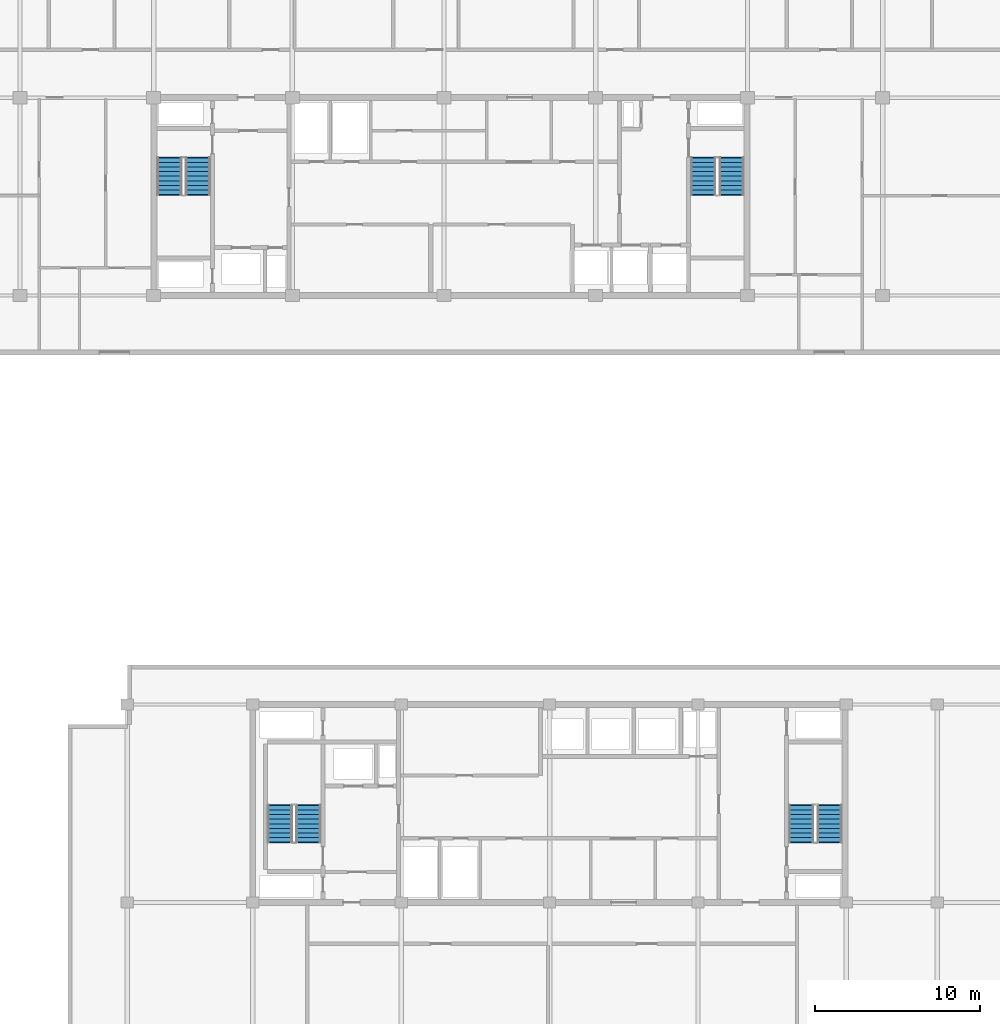
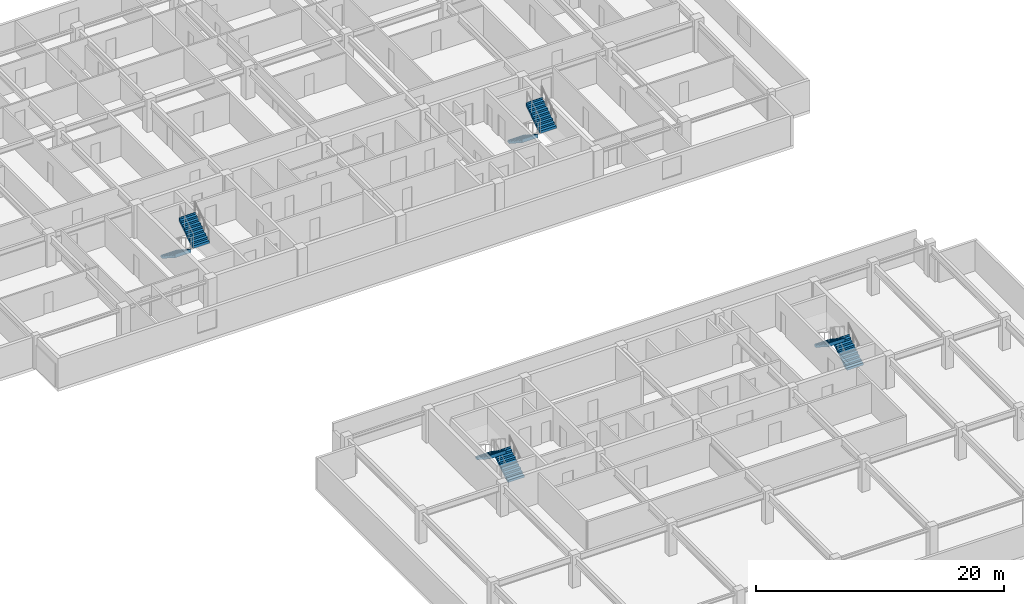
# One storey, part 14 of 17: 8 stair flights, 4 elements without a shape of their own.
"""IFC4 building model written with IfcOpenShell, lengths in metres."""

from ifc_helpers import new_model, si_unit, direction, frame, origin, place, context, subcontext, project, spatial, polyline, outline, extrude, material, type_object, element, aggregate, save


model = new_model("IFC4")

# Units and contexts
model_context = context("Model", 3, precision=1e-05, world=origin(), true_north=direction((0.0, 1.0)))
body_context = subcontext(model_context, "Body", "Model", "MODEL_VIEW")
ifc_project = project(units=[si_unit("LENGTHUNIT", "METRE"), si_unit("AREAUNIT", "SQUARE_METRE"), si_unit("VOLUMEUNIT", "CUBIC_METRE"), si_unit("PLANEANGLEUNIT", "RADIAN"), si_unit("MASSUNIT", "GRAM", prefix="KILO")], contexts=[model_context])

# Site, building, storey
site_placement = place(None, origin())
site = spatial("IfcSite", under=ifc_project, at=site_placement, CompositionType="ELEMENT")
building_placement = place(site_placement, origin())
building = spatial("IfcBuilding", under=site, at=building_placement, Name="Korimba Cascade Residences", CompositionType="ELEMENT")
storey_placement = place(building_placement, frame((0.0, 0.0, 204.35009765625)))
storey = spatial("IfcBuildingStorey", under=building, at=storey_placement, Name="L59", CompositionType="ELEMENT", Elevation=204.35009765625)

# Stair, stair flights
ifc_material = material(Name="Concrete C50/60", Category="concrete")
stair_type_1 = type_object("IfcStairType", Name="STR-W1-18R-1806", PredefinedType="HALF_TURN_STAIR", material=ifc_material)
stair_1_placement = place(storey_placement, origin())
stair_1 = element("IfcStair", 1, at=stair_1_placement, inside=storey, type_object=stair_type_1, Name="L59 Tower 1 West Fire Stair ST-W1", PredefinedType="HALF_TURN_STAIR")
stair_flight_type = type_object("IfcStairFlightType", Name="STF-DL-18R-1806-1520", PredefinedType="STRAIGHT", material=ifc_material)
stair_flight_1_placement = place(storey_placement, frame((77.06005859375, 63.550048828125, 0.0), z_axis=(0.0, 0.0, 1.0), x_axis=(0.0, -1.0, 0.0)))
stair_flight_1 = element("IfcStairFlight", 2, at=stair_flight_1_placement, type_object=stair_flight_type, Name="ST-W1 flight 1", NumberOfRisers=9, NumberOfTreads=8, PredefinedType="STRAIGHT", RiserHeight=0.180555556, TreadLength=0.28, context=body_context, shape_type="SweptSolid", body=[
    extrude(outline(polyline([(-0.0380859375, 0.0), (0.0, 0.1806640625), (0.280029296875, 0.1806640625), (0.280029296875, 0.361083984375), (0.56005859375, 0.361083984375), (0.56005859375, 0.541748046875), (0.840087890625, 0.541748046875), (0.840087890625, 0.72216796875), (1.1201171875, 0.72216796875), (1.1201171875, 0.90283203125), (1.39990234375, 0.90283203125), (1.39990234375, 1.083251953125), (1.679931640625, 1.083251953125), (1.679931640625, 1.263916015625), (1.9599609375, 1.263916015625), (1.9599609375, 1.4443359375), (2.239990234375, 1.4443359375), (2.239990234375, 1.625), (2.278076171875, 1.625), (2.278076171875, 1.26611328125), (0.276611328125, 0.0), (0.276611328125, -0.0380859375), (-0.0380859375, -0.0380859375), (-0.0380859375, 0.0)])), frame((0.0, 0.760009765625, 0.0), z_axis=(0.0, -1.0, 0.0), x_axis=(1.0, 0.0, 0.0)), (0.0, 0.0, 1.0), 1.52001953125),
])
stair_flight_2_placement = place(storey_placement, frame((78.780029296875, 61.31005859375, 1.625), z_axis=(0.0, 0.0, 1.0), x_axis=(0.0, 1.0, 0.0)))
stair_flight_2 = element("IfcStairFlight", 3, at=stair_flight_2_placement, type_object=stair_flight_type, Name="ST-W1 flight 2", NumberOfRisers=9, NumberOfTreads=8, PredefinedType="STRAIGHT", RiserHeight=0.180555556, TreadLength=0.28, context=body_context, shape_type="SweptSolid", body=[
    extrude(outline(polyline([(-0.0380859375, 0.0), (0.0, 0.1806640625), (0.280029296875, 0.1806640625), (0.280029296875, 0.361083984375), (0.56005859375, 0.361083984375), (0.56005859375, 0.541748046875), (0.840087890625, 0.541748046875), (0.840087890625, 0.72216796875), (1.1201171875, 0.72216796875), (1.1201171875, 0.90283203125), (1.39990234375, 0.90283203125), (1.39990234375, 1.083251953125), (1.679931640625, 1.083251953125), (1.679931640625, 1.263916015625), (1.9599609375, 1.263916015625), (1.9599609375, 1.4443359375), (2.239990234375, 1.4443359375), (2.239990234375, 1.625), (2.278076171875, 1.625), (2.278076171875, 1.26611328125), (0.276611328125, 0.0), (0.276611328125, -0.0380859375), (-0.0380859375, -0.0380859375), (-0.0380859375, 0.0)])), frame((0.0, 0.760009765625, 0.0), z_axis=(0.0, -1.0, 0.0), x_axis=(1.0, 0.0, 0.0)), (0.0, 0.0, 1.0), 1.52001953125),
])
aggregate(stair_1, [stair_flight_1, stair_flight_2])

stair_type_2 = type_object("IfcStairType", Name="STR-W2-18R-1806", PredefinedType="HALF_TURN_STAIR", material=ifc_material)
stair_2_placement = place(storey_placement, origin())
stair_2 = element("IfcStair", 4, at=stair_2_placement, inside=storey, type_object=stair_type_2, Name="L59 Tower 1 East Fire Stair ST-W2", PredefinedType="HALF_TURN_STAIR")
stair_flight_3_placement = place(storey_placement, frame((109.419921875, 63.550048828125, 0.0), z_axis=(0.0, 0.0, 1.0), x_axis=(0.0, -1.0, 0.0)))
stair_flight_3 = element("IfcStairFlight", 5, at=stair_flight_3_placement, type_object=stair_flight_type, Name="ST-W2 flight 1", NumberOfRisers=9, NumberOfTreads=8, PredefinedType="STRAIGHT", RiserHeight=0.180555556, TreadLength=0.28, context=body_context, shape_type="SweptSolid", body=[
    extrude(outline(polyline([(-0.0380859375, 0.0), (0.0, 0.1806640625), (0.280029296875, 0.1806640625), (0.280029296875, 0.361083984375), (0.56005859375, 0.361083984375), (0.56005859375, 0.541748046875), (0.840087890625, 0.541748046875), (0.840087890625, 0.72216796875), (1.1201171875, 0.72216796875), (1.1201171875, 0.90283203125), (1.39990234375, 0.90283203125), (1.39990234375, 1.083251953125), (1.679931640625, 1.083251953125), (1.679931640625, 1.263916015625), (1.9599609375, 1.263916015625), (1.9599609375, 1.4443359375), (2.239990234375, 1.4443359375), (2.239990234375, 1.625), (2.278076171875, 1.625), (2.278076171875, 1.26611328125), (0.276611328125, 0.0), (0.276611328125, -0.0380859375), (-0.0380859375, -0.0380859375), (-0.0380859375, 0.0)])), frame((0.0, 0.760009765625, 0.0), z_axis=(0.0, -1.0, 0.0), x_axis=(1.0, 0.0, 0.0)), (0.0, 0.0, 1.0), 1.52001953125),
])
stair_flight_4_placement = place(storey_placement, frame((111.139892578125, 61.31005859375, 1.625), z_axis=(0.0, 0.0, 1.0), x_axis=(0.0, 1.0, 0.0)))
stair_flight_4 = element("IfcStairFlight", 6, at=stair_flight_4_placement, type_object=stair_flight_type, Name="ST-W2 flight 2", NumberOfRisers=9, NumberOfTreads=8, PredefinedType="STRAIGHT", RiserHeight=0.180555556, TreadLength=0.28, context=body_context, shape_type="SweptSolid", body=[
    extrude(outline(polyline([(-0.0380859375, 0.0), (0.0, 0.1806640625), (0.280029296875, 0.1806640625), (0.280029296875, 0.361083984375), (0.56005859375, 0.361083984375), (0.56005859375, 0.541748046875), (0.840087890625, 0.541748046875), (0.840087890625, 0.72216796875), (1.1201171875, 0.72216796875), (1.1201171875, 0.90283203125), (1.39990234375, 0.90283203125), (1.39990234375, 1.083251953125), (1.679931640625, 1.083251953125), (1.679931640625, 1.263916015625), (1.9599609375, 1.263916015625), (1.9599609375, 1.4443359375), (2.239990234375, 1.4443359375), (2.239990234375, 1.625), (2.278076171875, 1.625), (2.278076171875, 1.26611328125), (0.276611328125, 0.0), (0.276611328125, -0.0380859375), (-0.0380859375, -0.0380859375), (-0.0380859375, 0.0)])), frame((0.0, 0.760009765625, 0.0), z_axis=(0.0, -1.0, 0.0), x_axis=(1.0, 0.0, 0.0)), (0.0, 0.0, 1.0), 1.52001953125),
])
aggregate(stair_2, [stair_flight_3, stair_flight_4])

stair_type_3 = type_object("IfcStairType", Name="STR-E1-18R-1806", PredefinedType="HALF_TURN_STAIR", material=ifc_material)
stair_3_placement = place(storey_placement, origin())
stair_3 = element("IfcStair", 7, at=stair_3_placement, inside=storey, type_object=stair_type_3, Name="L59 Tower 2 West Fire Stair ST-E1", PredefinedType="HALF_TURN_STAIR")
stair_flight_5_placement = place(storey_placement, frame((85.47998046875, 22.050048828125, 0.0), z_axis=(0.0, 0.0, 1.0), x_axis=(0.0, 1.0, 0.0)))
stair_flight_5 = element("IfcStairFlight", 8, at=stair_flight_5_placement, type_object=stair_flight_type, Name="ST-E1 flight 1", NumberOfRisers=9, NumberOfTreads=8, PredefinedType="STRAIGHT", RiserHeight=0.180555556, TreadLength=0.28, context=body_context, shape_type="SweptSolid", body=[
    extrude(outline(polyline([(-0.0380859375, 0.0), (0.0, 0.1806640625), (0.280029296875, 0.1806640625), (0.280029296875, 0.361083984375), (0.56005859375, 0.361083984375), (0.56005859375, 0.541748046875), (0.840087890625, 0.541748046875), (0.840087890625, 0.72216796875), (1.1201171875, 0.72216796875), (1.1201171875, 0.90283203125), (1.39990234375, 0.90283203125), (1.39990234375, 1.083251953125), (1.679931640625, 1.083251953125), (1.679931640625, 1.263916015625), (1.9599609375, 1.263916015625), (1.9599609375, 1.4443359375), (2.239990234375, 1.4443359375), (2.239990234375, 1.625), (2.278076171875, 1.625), (2.278076171875, 1.26611328125), (0.276611328125, 0.0), (0.276611328125, -0.0380859375), (-0.0380859375, -0.0380859375), (-0.0380859375, 0.0)])), frame((0.0, 0.760009765625, 0.0), z_axis=(0.0, -1.0, 0.0), x_axis=(1.0, 0.0, 0.0)), (0.0, 0.0, 1.0), 1.52001953125),
])
stair_flight_6_placement = place(storey_placement, frame((83.760009765625, 24.2900390625, 1.625), z_axis=(0.0, 0.0, 1.0), x_axis=(0.0, -1.0, 0.0)))
stair_flight_6 = element("IfcStairFlight", 9, at=stair_flight_6_placement, type_object=stair_flight_type, Name="ST-E1 flight 2", NumberOfRisers=9, NumberOfTreads=8, PredefinedType="STRAIGHT", RiserHeight=0.180555556, TreadLength=0.28, context=body_context, shape_type="SweptSolid", body=[
    extrude(outline(polyline([(-0.0380859375, 0.0), (0.0, 0.1806640625), (0.280029296875, 0.1806640625), (0.280029296875, 0.361083984375), (0.56005859375, 0.361083984375), (0.56005859375, 0.541748046875), (0.840087890625, 0.541748046875), (0.840087890625, 0.72216796875), (1.1201171875, 0.72216796875), (1.1201171875, 0.90283203125), (1.39990234375, 0.90283203125), (1.39990234375, 1.083251953125), (1.679931640625, 1.083251953125), (1.679931640625, 1.263916015625), (1.9599609375, 1.263916015625), (1.9599609375, 1.4443359375), (2.239990234375, 1.4443359375), (2.239990234375, 1.625), (2.278076171875, 1.625), (2.278076171875, 1.26611328125), (0.276611328125, 0.0), (0.276611328125, -0.0380859375), (-0.0380859375, -0.0380859375), (-0.0380859375, 0.0)])), frame((0.0, 0.760009765625, 0.0), z_axis=(0.0, -1.0, 0.0), x_axis=(1.0, 0.0, 0.0)), (0.0, 0.0, 1.0), 1.52001953125),
])
aggregate(stair_3, [stair_flight_5, stair_flight_6])

stair_type_4 = type_object("IfcStairType", Name="STR-E2-18R-1806", PredefinedType="HALF_TURN_STAIR", material=ifc_material)
stair_4_placement = place(storey_placement, origin())
stair_4 = element("IfcStair", 10, at=stair_4_placement, inside=storey, type_object=stair_type_4, Name="L59 Tower 2 East Fire Stair ST-E2", PredefinedType="HALF_TURN_STAIR")
stair_flight_7_placement = place(storey_placement, frame((117.080078125, 22.050048828125, 0.0), z_axis=(0.0, 0.0, 1.0), x_axis=(0.0, 1.0, 0.0)))
stair_flight_7 = element("IfcStairFlight", 11, at=stair_flight_7_placement, type_object=stair_flight_type, Name="ST-E2 flight 1", NumberOfRisers=9, NumberOfTreads=8, PredefinedType="STRAIGHT", RiserHeight=0.180555556, TreadLength=0.28, context=body_context, shape_type="SweptSolid", body=[
    extrude(outline(polyline([(-0.0380859375, 0.0), (0.0, 0.1806640625), (0.280029296875, 0.1806640625), (0.280029296875, 0.361083984375), (0.56005859375, 0.361083984375), (0.56005859375, 0.541748046875), (0.840087890625, 0.541748046875), (0.840087890625, 0.72216796875), (1.1201171875, 0.72216796875), (1.1201171875, 0.90283203125), (1.39990234375, 0.90283203125), (1.39990234375, 1.083251953125), (1.679931640625, 1.083251953125), (1.679931640625, 1.263916015625), (1.9599609375, 1.263916015625), (1.9599609375, 1.4443359375), (2.239990234375, 1.4443359375), (2.239990234375, 1.625), (2.278076171875, 1.625), (2.278076171875, 1.26611328125), (0.276611328125, 0.0), (0.276611328125, -0.0380859375), (-0.0380859375, -0.0380859375), (-0.0380859375, 0.0)])), frame((0.0, 0.760009765625, 0.0), z_axis=(0.0, -1.0, 0.0), x_axis=(1.0, 0.0, 0.0)), (0.0, 0.0, 1.0), 1.52001953125),
])
stair_flight_8_placement = place(storey_placement, frame((115.360107421875, 24.2900390625, 1.625), z_axis=(0.0, 0.0, 1.0), x_axis=(0.0, -1.0, 0.0)))
stair_flight_8 = element("IfcStairFlight", 12, at=stair_flight_8_placement, type_object=stair_flight_type, Name="ST-E2 flight 2", NumberOfRisers=9, NumberOfTreads=8, PredefinedType="STRAIGHT", RiserHeight=0.180555556, TreadLength=0.28, context=body_context, shape_type="SweptSolid", body=[
    extrude(outline(polyline([(-0.0380859375, 0.0), (0.0, 0.1806640625), (0.280029296875, 0.1806640625), (0.280029296875, 0.361083984375), (0.56005859375, 0.361083984375), (0.56005859375, 0.541748046875), (0.840087890625, 0.541748046875), (0.840087890625, 0.72216796875), (1.1201171875, 0.72216796875), (1.1201171875, 0.90283203125), (1.39990234375, 0.90283203125), (1.39990234375, 1.083251953125), (1.679931640625, 1.083251953125), (1.679931640625, 1.263916015625), (1.9599609375, 1.263916015625), (1.9599609375, 1.4443359375), (2.239990234375, 1.4443359375), (2.239990234375, 1.625), (2.278076171875, 1.625), (2.278076171875, 1.26611328125), (0.276611328125, 0.0), (0.276611328125, -0.0380859375), (-0.0380859375, -0.0380859375), (-0.0380859375, 0.0)])), frame((0.0, 0.760009765625, 0.0), z_axis=(0.0, -1.0, 0.0), x_axis=(1.0, 0.0, 0.0)), (0.0, 0.0, 1.0), 1.52001953125),
])
aggregate(stair_4, [stair_flight_7, stair_flight_8])

save(model, "model.ifc")
